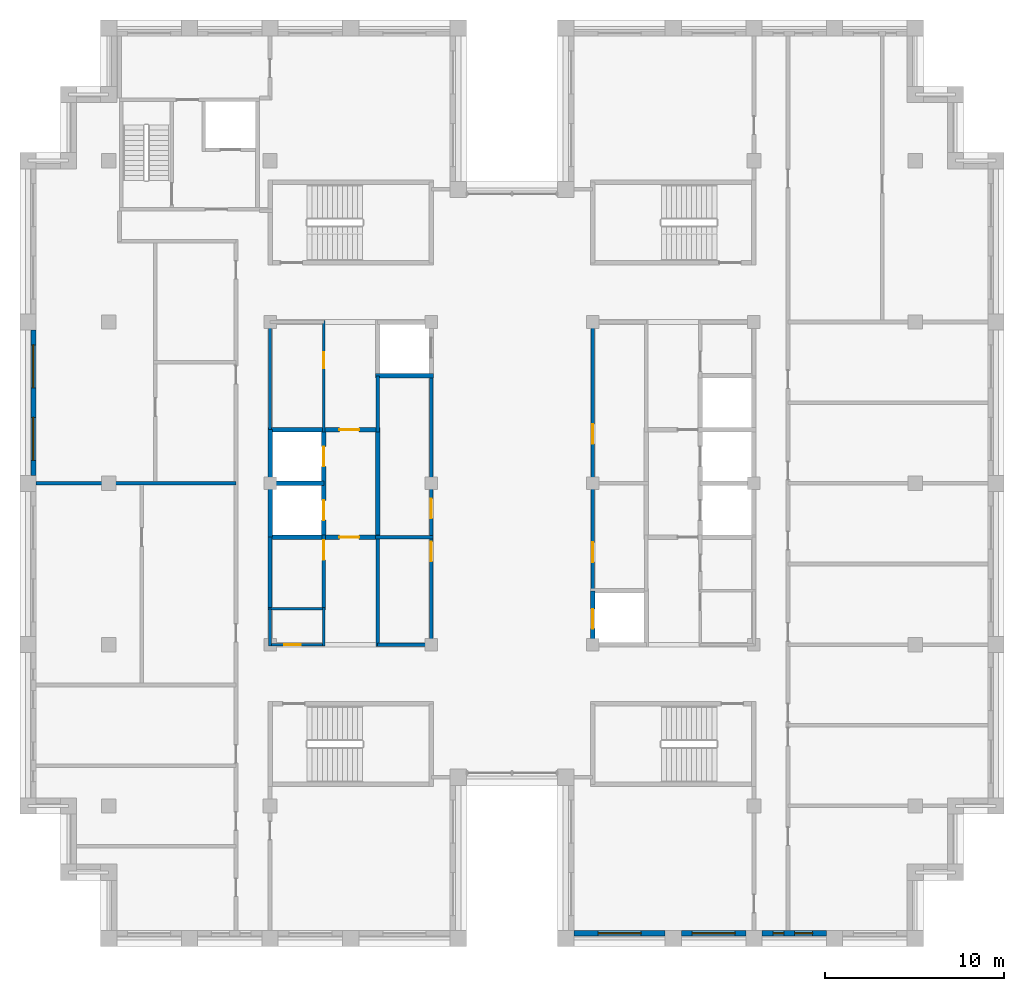
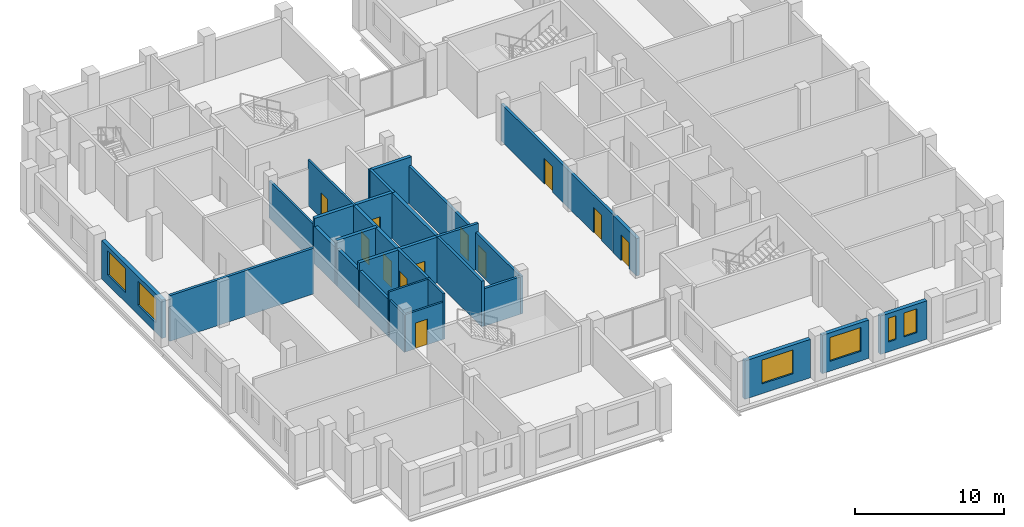
# One storey, part 7 of 13: 27 walls, 12 doors, 6 windows, 18 openings.
"""IFC4 building model written with IfcOpenShell, lengths in metres."""

from ifc_helpers import new_model, si_unit, direction, frame, frame_2d, origin, place, context, subcontext, project, spatial, rectangle, extrude, material, layer, layer_set, type_object, element, fill, save


model = new_model("IFC4")

# Units and contexts
model_context = context("Model", 3, precision=1e-05, world=origin(), true_north=direction((0.0, 1.0)))
body_context = subcontext(model_context, "Body", "Model", "MODEL_VIEW")
ifc_project = project(units=[si_unit("LENGTHUNIT", "METRE"), si_unit("AREAUNIT", "SQUARE_METRE"), si_unit("VOLUMEUNIT", "CUBIC_METRE"), si_unit("PLANEANGLEUNIT", "RADIAN"), si_unit("MASSUNIT", "GRAM", prefix="KILO")], contexts=[model_context])

# Site, building, storey
site_placement = place(None, origin())
site = spatial("IfcSite", under=ifc_project, at=site_placement, CompositionType="ELEMENT")
building_placement = place(site_placement, origin())
building = spatial("IfcBuilding", under=site, at=building_placement, Name="Corbelhall Arena Tower", CompositionType="ELEMENT")
storey_placement = place(building_placement, frame((0.0, 0.0, 338.0)))
storey = spatial("IfcBuildingStorey", under=building, at=storey_placement, Name="L74", CompositionType="ELEMENT", Elevation=338.0)

# Wall, openings, windows
ifc_material_1 = material(Name="Precast concrete C40/50 with granite facing", Category="masonry")
ifc_layer_1 = layer(ifc_material_1, 0.300048828125)
ifc_layer_set_1 = layer_set([ifc_layer_1], Name="EV-IW1 Infill panel 300")
wall_type_1 = type_object("IfcWallType", Name="EV-IW1 Infill panel 300", PredefinedType="SOLIDWALL", material=ifc_layer_set_1)
wall_1_placement = place(storey_placement, frame((-26.699951171875, 8.550048828125, 0.0), z_axis=(0.0, 0.0, 1.0), x_axis=(0.0, -1.0, 0.0)))
wall_1 = element("IfcWall", 1, at=wall_1_placement, inside=storey, type_object=wall_type_1, Name="Infill panel IW1", PredefinedType="SOLIDWALL", context=body_context, shape_type="SweptSolid", body=[
    extrude(rectangle(XDim=8.10009765625, YDim=0.300048828125, at=frame_2d((4.050048828125, 0.0))), origin(), (0.0, 0.0, 1.0), 3.139892578125),
])
opening_1_placement = place(wall_1_placement, frame((0.824951171875, 0.0, 0.800048828125)))
opening_1 = element("IfcOpeningElement", 2, at=opening_1_placement, cuts=wall_1, Name="Opening WN1", PredefinedType="OPENING", context=body_context, shape_type="SweptSolid", body=[
    extrude(rectangle(XDim=2.39990234375, YDim=1.949951171875, at=frame_2d((1.199951171875, 0.97509765625))), frame((0.0, 0.14990234375, 0.0), z_axis=(0.0, -1.0, 0.0), x_axis=(1.0, 0.0, 0.0)), (0.0, 0.0, 1.0), 0.300048828125),
])
opening_2_placement = place(wall_1_placement, frame((4.875, 0.0, 0.800048828125)))
opening_2 = element("IfcOpeningElement", 3, at=opening_2_placement, cuts=wall_1, Name="Opening WN1", PredefinedType="OPENING", context=body_context, shape_type="SweptSolid", body=[
    extrude(rectangle(XDim=2.39990234375, YDim=1.949951171875, at=frame_2d((1.199951171875, 0.97509765625))), frame((0.0, 0.14990234375, 0.0), z_axis=(0.0, -1.0, 0.0), x_axis=(1.0, 0.0, 0.0)), (0.0, 0.0, 1.0), 0.300048828125),
])
ifc_material_2 = material(Name="Aluminium black anodised", Category="aluminium")
window_type_1 = type_object("IfcWindowType", Name="EV-WN1 Office window", PartitioningType="SINGLE_PANEL", PredefinedType="WINDOW", material=ifc_material_2)
window_1_placement = place(opening_1_placement, origin())
window_1 = element("IfcWindow", 4, at=window_1_placement, inside=storey, type_object=window_type_1, Name="Window WN1", OverallHeight=1.949951171875, OverallWidth=2.39990234375, PartitioningType="SINGLE_PANEL", PredefinedType="WINDOW", context=body_context, shape_type="SweptSolid", body=[
    extrude(rectangle(XDim=2.39990234375, YDim=1.949951171875, at=frame_2d((1.199951171875, 0.97509765625))), frame((0.0, 0.030029296875, 0.0), z_axis=(0.0, -1.0, 0.0), x_axis=(1.0, 0.0, 0.0)), (0.0, 0.0, 1.0), 0.06005859375),
])
fill(opening_1, window_1)
window_2_placement = place(opening_2_placement, origin())
window_2 = element("IfcWindow", 5, at=window_2_placement, inside=storey, type_object=window_type_1, Name="Window WN1", OverallHeight=1.949951171875, OverallWidth=2.39990234375, PartitioningType="SINGLE_PANEL", PredefinedType="WINDOW", context=body_context, shape_type="SweptSolid", body=[
    extrude(rectangle(XDim=2.39990234375, YDim=1.949951171875, at=frame_2d((1.199951171875, 0.97509765625))), frame((0.0, 0.030029296875, 0.0), z_axis=(0.0, -1.0, 0.0), x_axis=(1.0, 0.0, 0.0)), (0.0, 0.0, 1.0), 0.06005859375),
])
fill(opening_2, window_2)

# Wall, opening, window
wall_2_placement = place(storey_placement, frame((3.449951171875, -25.10009765625, 0.0), z_axis=(0.0, 0.0, 1.0), x_axis=(1.0, 0.0, 0.0)))
wall_2 = element("IfcWall", 6, at=wall_2_placement, inside=storey, type_object=wall_type_1, Name="Infill panel IW1", PredefinedType="SOLIDWALL", context=body_context, shape_type="SweptSolid", body=[
    extrude(rectangle(XDim=5.10009765625, YDim=0.300048828125, at=frame_2d((2.550048828125, 0.0))), origin(), (0.0, 0.0, 1.0), 3.139892578125),
])
opening_3_placement = place(wall_2_placement, frame((1.35009765625, 0.0, 0.800048828125)))
opening_3 = element("IfcOpeningElement", 7, at=opening_3_placement, cuts=wall_2, Name="Opening WN1", PredefinedType="OPENING", context=body_context, shape_type="SweptSolid", body=[
    extrude(rectangle(XDim=2.39990234375, YDim=1.949951171875, at=frame_2d((1.199951171875, 0.97509765625))), frame((0.0, 0.14990234375, 0.0), z_axis=(0.0, -1.0, 0.0), x_axis=(1.0, 0.0, 0.0)), (0.0, 0.0, 1.0), 0.300048828125),
])
window_3_placement = place(opening_3_placement, origin())
window_3 = element("IfcWindow", 8, at=window_3_placement, inside=storey, type_object=window_type_1, Name="Window WN1", OverallHeight=1.949951171875, OverallWidth=2.39990234375, PartitioningType="SINGLE_PANEL", PredefinedType="WINDOW", context=body_context, shape_type="SweptSolid", body=[
    extrude(rectangle(XDim=2.39990234375, YDim=1.949951171875, at=frame_2d((1.199951171875, 0.97509765625))), frame((0.0, 0.030029296875, 0.0), z_axis=(0.0, -1.0, 0.0), x_axis=(1.0, 0.0, 0.0)), (0.0, 0.0, 1.0), 0.06005859375),
])
fill(opening_3, window_3)

wall_3_placement = place(storey_placement, frame((9.449951171875, -25.10009765625, 0.0), z_axis=(0.0, 0.0, 1.0), x_axis=(1.0, 0.0, 0.0)))
wall_3 = element("IfcWall", 9, at=wall_3_placement, inside=storey, type_object=wall_type_1, Name="Infill panel IW1", PredefinedType="SOLIDWALL", context=body_context, shape_type="SweptSolid", body=[
    extrude(rectangle(XDim=3.60009765625, YDim=0.300048828125, at=frame_2d((1.800048828125, 0.0))), origin(), (0.0, 0.0, 1.0), 3.139892578125),
])
opening_4_placement = place(wall_3_placement, frame((0.60009765625, 0.0, 0.800048828125)))
opening_4 = element("IfcOpeningElement", 10, at=opening_4_placement, cuts=wall_3, Name="Opening WN1", PredefinedType="OPENING", context=body_context, shape_type="SweptSolid", body=[
    extrude(rectangle(XDim=2.39990234375, YDim=1.949951171875, at=frame_2d((1.199951171875, 0.97509765625))), frame((0.0, 0.14990234375, 0.0), z_axis=(0.0, -1.0, 0.0), x_axis=(1.0, 0.0, 0.0)), (0.0, 0.0, 1.0), 0.300048828125),
])
window_4_placement = place(opening_4_placement, origin())
window_4 = element("IfcWindow", 11, at=window_4_placement, inside=storey, type_object=window_type_1, Name="Window WN1", OverallHeight=1.949951171875, OverallWidth=2.39990234375, PartitioningType="SINGLE_PANEL", PredefinedType="WINDOW", context=body_context, shape_type="SweptSolid", body=[
    extrude(rectangle(XDim=2.39990234375, YDim=1.949951171875, at=frame_2d((1.199951171875, 0.97509765625))), frame((0.0, 0.030029296875, 0.0), z_axis=(0.0, -1.0, 0.0), x_axis=(1.0, 0.0, 0.0)), (0.0, 0.0, 1.0), 0.06005859375),
])
fill(opening_4, window_4)

# Wall, openings, windows
wall_4_placement = place(storey_placement, frame((13.949951171875, -25.10009765625, 0.0), z_axis=(0.0, 0.0, 1.0), x_axis=(1.0, 0.0, 0.0)))
wall_4 = element("IfcWall", 12, at=wall_4_placement, inside=storey, type_object=wall_type_1, Name="Infill panel IW1", PredefinedType="SOLIDWALL", context=body_context, shape_type="SweptSolid", body=[
    extrude(rectangle(XDim=3.60009765625, YDim=0.300048828125, at=frame_2d((1.800048828125, 0.0))), origin(), (0.0, 0.0, 1.0), 3.139892578125),
])
opening_5_placement = place(wall_4_placement, frame((0.625, 0.0, 0.800048828125)))
opening_5 = element("IfcOpeningElement", 13, at=opening_5_placement, cuts=wall_4, Name="Opening WN5", PredefinedType="OPENING", context=body_context, shape_type="SweptSolid", body=[
    extrude(rectangle(XDim=0.60009765625, YDim=1.949951171875, at=frame_2d((0.300048828125, 0.97509765625))), frame((0.0, 0.14990234375, 0.0), z_axis=(0.0, -1.0, 0.0), x_axis=(1.0, 0.0, 0.0)), (0.0, 0.0, 1.0), 0.300048828125),
])
opening_6_placement = place(wall_4_placement, frame((1.824951171875, 0.0, 0.800048828125)))
opening_6 = element("IfcOpeningElement", 14, at=opening_6_placement, cuts=wall_4, Name="Opening WN6", PredefinedType="OPENING", context=body_context, shape_type="SweptSolid", body=[
    extrude(rectangle(XDim=1.0, YDim=1.949951171875, at=frame_2d((0.5, 0.97509765625))), frame((0.0, 0.14990234375, 0.0), z_axis=(0.0, -1.0, 0.0), x_axis=(1.0, 0.0, 0.0)), (0.0, 0.0, 1.0), 0.300048828125),
])
window_type_2 = type_object("IfcWindowType", Name="EV-WN5 Office window 600", PartitioningType="SINGLE_PANEL", PredefinedType="WINDOW", material=ifc_material_2)
window_5_placement = place(opening_5_placement, origin())
window_5 = element("IfcWindow", 15, at=window_5_placement, inside=storey, type_object=window_type_2, Name="Window WN5", OverallHeight=1.949951171875, OverallWidth=0.60009765625, PartitioningType="SINGLE_PANEL", PredefinedType="WINDOW", context=body_context, shape_type="SweptSolid", body=[
    extrude(rectangle(XDim=0.60009765625, YDim=1.949951171875, at=frame_2d((0.300048828125, 0.97509765625))), frame((0.0, 0.030029296875, 0.0), z_axis=(0.0, -1.0, 0.0), x_axis=(1.0, 0.0, 0.0)), (0.0, 0.0, 1.0), 0.06005859375),
])
fill(opening_5, window_5)
window_type_3 = type_object("IfcWindowType", Name="EV-WN6 Office window 1000", PartitioningType="SINGLE_PANEL", PredefinedType="WINDOW", material=ifc_material_2)
window_6_placement = place(opening_6_placement, origin())
window_6 = element("IfcWindow", 16, at=window_6_placement, inside=storey, type_object=window_type_3, Name="Window WN6", OverallHeight=1.949951171875, OverallWidth=1.0, PartitioningType="SINGLE_PANEL", PredefinedType="WINDOW", context=body_context, shape_type="SweptSolid", body=[
    extrude(rectangle(XDim=1.0, YDim=1.949951171875, at=frame_2d((0.5, 0.97509765625))), frame((0.0, 0.030029296875, 0.0), z_axis=(0.0, -1.0, 0.0), x_axis=(1.0, 0.0, 0.0)), (0.0, 0.0, 1.0), 0.06005859375),
])
fill(opening_6, window_6)

# Wall
ifc_material_3 = material(Name="Gypsum board on steel stud, acoustic", Category="steel")
ifc_layer_2 = layer(ifc_material_3, 0.199951171875)
ifc_layer_set_2 = layer_set([ifc_layer_2], Name="IN-W-DM200")
wall_type_2 = type_object("IfcWallType", Name="IN-W-DM200", PredefinedType="PARTITIONING", material=ifc_layer_set_2)
wall_5_placement = place(storey_placement, frame((-15.39990234375, 0.0, 0.0), z_axis=(0.0, 0.0, 1.0), x_axis=(-1.0, 0.0, 0.0)))
element("IfcWall", 17, at=wall_5_placement, inside=storey, type_object=wall_type_2, Name="Partition 007", PredefinedType="PARTITIONING", context=body_context, shape_type="SweptSolid", body=[
    extrude(rectangle(XDim=11.150146484375, YDim=0.199951171875, at=frame_2d((5.5751953125, 0.0))), origin(), (0.0, 0.0, 1.0), 3.739990234375),
])

# Wall, opening, door
ifc_material_4 = material(Name="Concrete block wall", Category="concrete")
ifc_layer_3 = layer(ifc_material_4, 0.199951171875)
ifc_layer_set_3 = layer_set([ifc_layer_3], Name="IN-W-RS200")
wall_type_3 = type_object("IfcWallType", Name="IN-W-RS200", PredefinedType="SOLIDWALL", material=ifc_layer_set_3)
wall_6_placement = place(storey_placement, frame((-10.5, -7.074951171875, 0.0), z_axis=(0.0, 0.0, 1.0), x_axis=(0.0, 1.0, 0.0)))
wall_6 = element("IfcWall", 18, at=wall_6_placement, inside=storey, type_object=wall_type_3, Name="Partition 032", PredefinedType="SOLIDWALL", context=body_context, shape_type="SweptSolid", body=[
    extrude(rectangle(XDim=4.199951171875, YDim=0.199951171875, at=frame_2d((2.10009765625, 0.0))), origin(), (0.0, 0.0, 1.0), 3.739990234375),
])
opening_7_placement = place(wall_6_placement, frame((2.800048828125, 0.0, 0.0)))
opening_7 = element("IfcOpeningElement", 19, at=opening_7_placement, cuts=wall_6, Name="Opening 24006", PredefinedType="OPENING", context=body_context, shape_type="SweptSolid", body=[
    extrude(rectangle(XDim=1.10009765625, YDim=2.10009765625, at=frame_2d((0.550048828125, 1.050048828125))), frame((0.0, 0.10009765625, 0.0), z_axis=(0.0, -1.0, 0.0), x_axis=(1.0, 0.0, 0.0)), (0.0, 0.0, 1.0), 0.199951171875),
])
ifc_material_5 = material(Name="Steel door set", Category="steel")
door_type_1 = type_object("IfcDoorType", Name="IN-D-FD110", OperationType="NOTDEFINED", PredefinedType="DOOR", material=ifc_material_5)
door_1_placement = place(opening_7_placement, origin())
door_1 = element("IfcDoor", 20, at=door_1_placement, inside=storey, type_object=door_type_1, Name="Door 006", OperationType="SINGLE_SWING_LEFT", OverallHeight=2.10009765625, OverallWidth=1.10009765625, PredefinedType="DOOR", context=body_context, shape_type="SweptSolid", body=[
    extrude(rectangle(XDim=1.10009765625, YDim=2.10009765625, at=frame_2d((0.550048828125, 1.050048828125))), frame((0.0, 0.02490234375, 0.0), z_axis=(0.0, -1.0, 0.0), x_axis=(1.0, 0.0, 0.0)), (0.0, 0.0, 1.0), 0.050048828125),
])
fill(opening_7, door_1)

# Walls
wall_7_placement = place(storey_placement, frame((-7.625, -3.0, 0.0), z_axis=(0.0, 0.0, 1.0), x_axis=(1.0, 0.0, 0.0)))
element("IfcWall", 21, at=wall_7_placement, inside=storey, type_object=wall_type_3, Name="Partition 033", PredefinedType="SOLIDWALL", context=body_context, shape_type="SweptSolid", body=[
    extrude(rectangle(XDim=3.22509765625, YDim=0.199951171875, at=frame_2d((1.612548828125, 0.0))), origin(), (0.0, 0.0, 1.0), 3.739990234375),
])
wall_8_placement = place(storey_placement, frame((-7.5, -9.10009765625, 0.0), z_axis=(0.0, 0.0, 1.0), x_axis=(0.0, 1.0, 0.0)))
element("IfcWall", 22, at=wall_8_placement, inside=storey, type_object=wall_type_3, Name="Partition 034", PredefinedType="SOLIDWALL", context=body_context, shape_type="SweptSolid", body=[
    extrude(rectangle(XDim=6.22509765625, YDim=0.199951171875, at=frame_2d((3.112548828125, 0.0))), origin(), (0.0, 0.0, 1.0), 3.739990234375),
])
wall_9_placement = place(storey_placement, frame((-7.5, 2.875, 0.0), z_axis=(0.0, 0.0, 1.0), x_axis=(0.0, 1.0, 0.0)))
element("IfcWall", 23, at=wall_9_placement, inside=storey, type_object=wall_type_3, Name="Partition 035", PredefinedType="SOLIDWALL", context=body_context, shape_type="SweptSolid", body=[
    extrude(rectangle(XDim=3.125, YDim=0.199951171875, at=frame_2d((1.5625, 0.0))), origin(), (0.0, 0.0, 1.0), 3.739990234375),
])
ifc_layer_4 = layer(ifc_material_4, 0.199951171875)
ifc_layer_set_4 = layer_set([ifc_layer_4], Name="IN-W-RS200 under beam 678 mm")
wall_type_4 = type_object("IfcWallType", Name="IN-W-RS200 under beam 678 mm", PredefinedType="SOLIDWALL", material=ifc_layer_set_4)
wall_10_placement = place(storey_placement, frame((-13.5, -7.0, 0.0), z_axis=(0.0, 0.0, 1.0), x_axis=(0.0, 1.0, 0.0)))
element("IfcWall", 24, at=wall_10_placement, inside=storey, type_object=wall_type_4, Name="Partition 031", PredefinedType="SOLIDWALL", context=body_context, shape_type="SweptSolid", body=[
    extrude(rectangle(XDim=4.0, YDim=0.199951171875, at=frame_2d((2.0, 0.0))), origin(), (0.0, 0.0, 1.0), 3.061767578125),
])
wall_11_placement = place(storey_placement, frame((-4.5, -9.0, 0.0), z_axis=(0.0, 0.0, 1.0), x_axis=(-1.0, 0.0, 0.0)))
element("IfcWall", 25, at=wall_11_placement, inside=storey, type_object=wall_type_4, Name="Partition 036", PredefinedType="SOLIDWALL", context=body_context, shape_type="SweptSolid", body=[
    extrude(rectangle(XDim=3.0, YDim=0.199951171875, at=frame_2d((1.5, 0.0))), origin(), (0.0, 0.0, 1.0), 3.061767578125),
])

# Wall, openings, doors
wall_12_placement = place(storey_placement, frame((-4.5, 6.0, 0.0), z_axis=(0.0, 0.0, 1.0), x_axis=(0.0, -1.0, 0.0)))
wall_12 = element("IfcWall", 26, at=wall_12_placement, inside=storey, type_object=wall_type_4, Name="Partition 037", PredefinedType="SOLIDWALL", context=body_context, shape_type="SweptSolid", body=[
    extrude(rectangle(XDim=15.10009765625, YDim=0.199951171875, at=frame_2d((7.550048828125, 0.0))), origin(), (0.0, 0.0, 1.0), 3.061767578125),
])
opening_8_placement = place(wall_12_placement, frame((9.25, 0.0, 0.0)))
opening_8 = element("IfcOpeningElement", 27, at=opening_8_placement, cuts=wall_12, Name="Opening 24001", PredefinedType="OPENING", context=body_context, shape_type="SweptSolid", body=[
    extrude(rectangle(XDim=1.10009765625, YDim=2.10009765625, at=frame_2d((0.550048828125, 1.050048828125))), frame((0.0, 0.10009765625, 0.0), z_axis=(0.0, -1.0, 0.0), x_axis=(1.0, 0.0, 0.0)), (0.0, 0.0, 1.0), 0.199951171875),
])
opening_9_placement = place(wall_12_placement, frame((6.85009765625, 0.0, 0.0)))
opening_9 = element("IfcOpeningElement", 28, at=opening_9_placement, cuts=wall_12, Name="Opening 24002", PredefinedType="OPENING", context=body_context, shape_type="SweptSolid", body=[
    extrude(rectangle(XDim=1.10009765625, YDim=2.10009765625, at=frame_2d((0.550048828125, 1.050048828125))), frame((0.0, 0.10009765625, 0.0), z_axis=(0.0, -1.0, 0.0), x_axis=(1.0, 0.0, 0.0)), (0.0, 0.0, 1.0), 0.199951171875),
])
door_2_placement = place(opening_8_placement, origin())
door_2 = element("IfcDoor", 29, at=door_2_placement, inside=storey, type_object=door_type_1, Name="Door 001", OperationType="SINGLE_SWING_RIGHT", OverallHeight=2.10009765625, OverallWidth=1.10009765625, PredefinedType="DOOR", context=body_context, shape_type="SweptSolid", body=[
    extrude(rectangle(XDim=1.10009765625, YDim=2.10009765625, at=frame_2d((0.550048828125, 1.050048828125))), frame((0.0, 0.02490234375, 0.0), z_axis=(0.0, -1.0, 0.0), x_axis=(1.0, 0.0, 0.0)), (0.0, 0.0, 1.0), 0.050048828125),
])
fill(opening_8, door_2)
door_3_placement = place(opening_9_placement, origin())
door_3 = element("IfcDoor", 30, at=door_3_placement, inside=storey, type_object=door_type_1, Name="Door 002", OperationType="SINGLE_SWING_LEFT", OverallHeight=2.10009765625, OverallWidth=1.10009765625, PredefinedType="DOOR", context=body_context, shape_type="SweptSolid", body=[
    extrude(rectangle(XDim=1.10009765625, YDim=2.10009765625, at=frame_2d((0.550048828125, 1.050048828125))), frame((0.0, 0.02490234375, 0.0), z_axis=(0.0, -1.0, 0.0), x_axis=(1.0, 0.0, 0.0)), (0.0, 0.0, 1.0), 0.050048828125),
])
fill(opening_9, door_3)

wall_13_placement = place(storey_placement, frame((4.5, -6.0, 0.0), z_axis=(0.0, 0.0, 1.0), x_axis=(0.0, 1.0, 0.0)))
wall_13 = element("IfcWall", 31, at=wall_13_placement, inside=storey, type_object=wall_type_4, Name="Partition 039", PredefinedType="SOLIDWALL", context=body_context, shape_type="SweptSolid", body=[
    extrude(rectangle(XDim=15.10009765625, YDim=0.199951171875, at=frame_2d((7.550048828125, 0.0))), origin(), (0.0, 0.0, 1.0), 3.061767578125),
])
opening_10_placement = place(wall_13_placement, frame((1.60009765625, 0.0, 0.0)))
opening_10 = element("IfcOpeningElement", 32, at=opening_10_placement, cuts=wall_13, Name="Opening 24008", PredefinedType="OPENING", context=body_context, shape_type="SweptSolid", body=[
    extrude(rectangle(XDim=1.10009765625, YDim=2.10009765625, at=frame_2d((0.550048828125, 1.050048828125))), frame((0.0, 0.10009765625, 0.0), z_axis=(0.0, -1.0, 0.0), x_axis=(1.0, 0.0, 0.0)), (0.0, 0.0, 1.0), 0.199951171875),
])
opening_11_placement = place(wall_13_placement, frame((8.199951171875, 0.0, 0.0)))
opening_11 = element("IfcOpeningElement", 33, at=opening_11_placement, cuts=wall_13, Name="Opening 24009", PredefinedType="OPENING", context=body_context, shape_type="SweptSolid", body=[
    extrude(rectangle(XDim=1.10009765625, YDim=2.10009765625, at=frame_2d((0.550048828125, 1.050048828125))), frame((0.0, 0.10009765625, 0.0), z_axis=(0.0, -1.0, 0.0), x_axis=(1.0, 0.0, 0.0)), (0.0, 0.0, 1.0), 0.199951171875),
])
door_4_placement = place(opening_10_placement, origin())
door_4 = element("IfcDoor", 34, at=door_4_placement, inside=storey, type_object=door_type_1, Name="Door 008", OperationType="SINGLE_SWING_LEFT", OverallHeight=2.10009765625, OverallWidth=1.10009765625, PredefinedType="DOOR", context=body_context, shape_type="SweptSolid", body=[
    extrude(rectangle(XDim=1.10009765625, YDim=2.10009765625, at=frame_2d((0.550048828125, 1.050048828125))), frame((0.0, 0.02490234375, 0.0), z_axis=(0.0, -1.0, 0.0), x_axis=(1.0, 0.0, 0.0)), (0.0, 0.0, 1.0), 0.050048828125),
])
fill(opening_10, door_4)
door_5_placement = place(opening_11_placement, origin())
door_5 = element("IfcDoor", 35, at=door_5_placement, inside=storey, type_object=door_type_1, Name="Door 009", OperationType="SINGLE_SWING_RIGHT", OverallHeight=2.10009765625, OverallWidth=1.10009765625, PredefinedType="DOOR", context=body_context, shape_type="SweptSolid", body=[
    extrude(rectangle(XDim=1.10009765625, YDim=2.10009765625, at=frame_2d((0.550048828125, 1.050048828125))), frame((0.0, 0.02490234375, 0.0), z_axis=(0.0, -1.0, 0.0), x_axis=(1.0, 0.0, 0.0)), (0.0, 0.0, 1.0), 0.050048828125),
])
fill(opening_11, door_5)

# Wall
ifc_material_6 = material(Name="Concrete C40/50", Category="concrete")
ifc_layer_5 = layer(ifc_material_6, 0.25)
ifc_layer_set_5 = layer_set([ifc_layer_5], Name="IN-W-SH250")
wall_type_5 = type_object("IfcWallType", Name="IN-W-SH250", PredefinedType="SOLIDWALL", material=ifc_layer_set_5)
wall_14_placement = place(storey_placement, frame((-13.625, 0.0, 0.0), z_axis=(0.0, 0.0, 1.0), x_axis=(1.0, 0.0, 0.0)))
element("IfcWall", 36, at=wall_14_placement, inside=storey, type_object=wall_type_5, Name="Shaft wall 048", PredefinedType="SOLIDWALL", context=body_context, shape_type="SweptSolid", body=[
    extrude(rectangle(XDim=3.125, YDim=0.25, at=frame_2d((1.5625, 0.0))), origin(), (0.0, 0.0, 1.0), 3.739990234375),
])

# Wall, opening, door
wall_15_placement = place(storey_placement, frame((-13.625, 3.0, 0.0), z_axis=(0.0, 0.0, 1.0), x_axis=(1.0, 0.0, 0.0)))
wall_15 = element("IfcWall", 37, at=wall_15_placement, inside=storey, type_object=wall_type_5, Name="Shaft wall 049", PredefinedType="SOLIDWALL", context=body_context, shape_type="SweptSolid", body=[
    extrude(rectangle(XDim=6.125, YDim=0.25, at=frame_2d((3.0625, 0.0))), origin(), (0.0, 0.0, 1.0), 3.739990234375),
])
opening_12_placement = place(wall_15_placement, frame((4.0, 0.0, 0.0)))
opening_12 = element("IfcOpeningElement", 38, at=opening_12_placement, cuts=wall_15, Name="Opening 24004", PredefinedType="OPENING", context=body_context, shape_type="SweptSolid", body=[
    extrude(rectangle(XDim=1.10009765625, YDim=2.10009765625, at=frame_2d((0.550048828125, 1.050048828125))), frame((0.0, 0.125, 0.0), z_axis=(0.0, -1.0, 0.0), x_axis=(1.0, 0.0, 0.0)), (0.0, 0.0, 1.0), 0.25),
])
door_6_placement = place(opening_12_placement, origin())
door_6 = element("IfcDoor", 39, at=door_6_placement, inside=storey, type_object=door_type_1, Name="Door 004", OperationType="SINGLE_SWING_LEFT", OverallHeight=2.10009765625, OverallWidth=1.10009765625, PredefinedType="DOOR", context=body_context, shape_type="SweptSolid", body=[
    extrude(rectangle(XDim=1.10009765625, YDim=2.10009765625, at=frame_2d((0.550048828125, 1.050048828125))), frame((0.0, 0.02490234375, 0.0), z_axis=(0.0, -1.0, 0.0), x_axis=(1.0, 0.0, 0.0)), (0.0, 0.0, 1.0), 0.050048828125),
])
fill(opening_12, door_6)

wall_16_placement = place(storey_placement, frame((-13.625, -3.0, 0.0), z_axis=(0.0, 0.0, 1.0), x_axis=(1.0, 0.0, 0.0)))
wall_16 = element("IfcWall", 40, at=wall_16_placement, inside=storey, type_object=wall_type_5, Name="Shaft wall 051", PredefinedType="SOLIDWALL", context=body_context, shape_type="SweptSolid", body=[
    extrude(rectangle(XDim=6.125, YDim=0.25, at=frame_2d((3.0625, 0.0))), origin(), (0.0, 0.0, 1.0), 3.739990234375),
])
opening_13_placement = place(wall_16_placement, frame((4.0, 0.0, 0.0)))
opening_13 = element("IfcOpeningElement", 41, at=opening_13_placement, cuts=wall_16, Name="Opening 24003", PredefinedType="OPENING", context=body_context, shape_type="SweptSolid", body=[
    extrude(rectangle(XDim=1.10009765625, YDim=2.10009765625, at=frame_2d((0.550048828125, 1.050048828125))), frame((0.0, 0.125, 0.0), z_axis=(0.0, -1.0, 0.0), x_axis=(1.0, 0.0, 0.0)), (0.0, 0.0, 1.0), 0.25),
])
door_7_placement = place(opening_13_placement, origin())
door_7 = element("IfcDoor", 42, at=door_7_placement, inside=storey, type_object=door_type_1, Name="Door 003", OperationType="SINGLE_SWING_RIGHT", OverallHeight=2.10009765625, OverallWidth=1.10009765625, PredefinedType="DOOR", context=body_context, shape_type="SweptSolid", body=[
    extrude(rectangle(XDim=1.10009765625, YDim=2.10009765625, at=frame_2d((0.550048828125, 1.050048828125))), frame((0.0, 0.02490234375, 0.0), z_axis=(0.0, -1.0, 0.0), x_axis=(1.0, 0.0, 0.0)), (0.0, 0.0, 1.0), 0.050048828125),
])
fill(opening_13, door_7)

# Wall, openings, doors
wall_17_placement = place(storey_placement, frame((-10.5, -3.125, 0.0), z_axis=(0.0, 0.0, 1.0), x_axis=(0.0, 1.0, 0.0)))
wall_17 = element("IfcWall", 43, at=wall_17_placement, inside=storey, type_object=wall_type_5, Name="Shaft wall 052", PredefinedType="SOLIDWALL", context=body_context, shape_type="SweptSolid", body=[
    extrude(rectangle(XDim=6.25, YDim=0.25, at=frame_2d((3.125, 0.0))), origin(), (0.0, 0.0, 1.0), 3.739990234375),
])
opening_14_placement = place(wall_17_placement, frame((1.074951171875, 0.0, 0.0)))
opening_14 = element("IfcOpeningElement", 44, at=opening_14_placement, cuts=wall_17, Name="Opening LD", PredefinedType="OPENING", context=body_context, shape_type="SweptSolid", body=[
    extrude(rectangle(XDim=1.10009765625, YDim=2.10009765625, at=frame_2d((0.550048828125, 1.050048828125))), frame((0.0, 0.125, 0.0), z_axis=(0.0, -1.0, 0.0), x_axis=(1.0, 0.0, 0.0)), (0.0, 0.0, 1.0), 0.25),
])
opening_15_placement = place(wall_17_placement, frame((4.074951171875, 0.0, 0.0)))
opening_15 = element("IfcOpeningElement", 45, at=opening_15_placement, cuts=wall_17, Name="Opening LD", PredefinedType="OPENING", context=body_context, shape_type="SweptSolid", body=[
    extrude(rectangle(XDim=1.10009765625, YDim=2.10009765625, at=frame_2d((0.550048828125, 1.050048828125))), frame((0.0, 0.125, 0.0), z_axis=(0.0, -1.0, 0.0), x_axis=(1.0, 0.0, 0.0)), (0.0, 0.0, 1.0), 0.25),
])
door_type_2 = type_object("IfcDoorType", Name="IN-D-LD110", OperationType="NOTDEFINED", PredefinedType="DOOR", material=ifc_material_5)
door_8_placement = place(opening_14_placement, origin())
door_8 = element("IfcDoor", 46, at=door_8_placement, inside=storey, type_object=door_type_2, Name="Landing door W3", OperationType="SLIDING_TO_LEFT", OverallHeight=2.10009765625, OverallWidth=1.10009765625, PredefinedType="DOOR", context=body_context, shape_type="SweptSolid", body=[
    extrude(rectangle(XDim=1.10009765625, YDim=2.10009765625, at=frame_2d((0.550048828125, 1.050048828125))), frame((0.0, 0.02490234375, 0.0), z_axis=(0.0, -1.0, 0.0), x_axis=(1.0, 0.0, 0.0)), (0.0, 0.0, 1.0), 0.050048828125),
])
fill(opening_14, door_8)
door_9_placement = place(opening_15_placement, origin())
door_9 = element("IfcDoor", 47, at=door_9_placement, inside=storey, type_object=door_type_2, Name="Landing door W4", OperationType="SLIDING_TO_LEFT", OverallHeight=2.10009765625, OverallWidth=1.10009765625, PredefinedType="DOOR", context=body_context, shape_type="SweptSolid", body=[
    extrude(rectangle(XDim=1.10009765625, YDim=2.10009765625, at=frame_2d((0.550048828125, 1.050048828125))), frame((0.0, 0.02490234375, 0.0), z_axis=(0.0, -1.0, 0.0), x_axis=(1.0, 0.0, 0.0)), (0.0, 0.0, 1.0), 0.050048828125),
])
fill(opening_15, door_9)

# Walls
wall_18_placement = place(storey_placement, frame((-7.625, 6.0, 0.0), z_axis=(0.0, 0.0, 1.0), x_axis=(1.0, 0.0, 0.0)))
element("IfcWall", 48, at=wall_18_placement, inside=storey, type_object=wall_type_5, Name="Shaft wall 053", PredefinedType="SOLIDWALL", context=body_context, shape_type="SweptSolid", body=[
    extrude(rectangle(XDim=3.25, YDim=0.25, at=frame_2d((1.625, 0.0))), origin(), (0.0, 0.0, 1.0), 3.739990234375),
])
wall_19_placement = place(storey_placement, frame((-7.5, -3.125, 0.0), z_axis=(0.0, 0.0, 1.0), x_axis=(0.0, 1.0, 0.0)))
element("IfcWall", 49, at=wall_19_placement, inside=storey, type_object=wall_type_5, Name="Shaft wall 054", PredefinedType="SOLIDWALL", context=body_context, shape_type="SweptSolid", body=[
    extrude(rectangle(XDim=6.25, YDim=0.25, at=frame_2d((3.125, 0.0))), origin(), (0.0, 0.0, 1.0), 3.739990234375),
])
ifc_layer_6 = layer(ifc_material_6, 0.25)
ifc_layer_set_6 = layer_set([ifc_layer_6], Name="IN-W-SH250 under beam 678 mm")
wall_type_6 = type_object("IfcWallType", Name="IN-W-SH250 under beam 678 mm", PredefinedType="SOLIDWALL", material=ifc_layer_set_6)
wall_20_placement = place(storey_placement, frame((-13.5, -3.0, 0.0), z_axis=(0.0, 0.0, 1.0), x_axis=(0.0, 1.0, 0.0)))
element("IfcWall", 50, at=wall_20_placement, inside=storey, type_object=wall_type_6, Name="Shaft wall 050", PredefinedType="SOLIDWALL", context=body_context, shape_type="SweptSolid", body=[
    extrude(rectangle(XDim=6.0, YDim=0.25, at=frame_2d((3.0, 0.0))), origin(), (0.0, 0.0, 1.0), 3.061767578125),
])

# Wall, opening, door
wall_21_placement = place(storey_placement, frame((4.5, -9.125, 0.0), z_axis=(0.0, 0.0, 1.0), x_axis=(0.0, 1.0, 0.0)))
wall_21 = element("IfcWall", 51, at=wall_21_placement, inside=storey, type_object=wall_type_6, Name="Shaft wall 059", PredefinedType="SOLIDWALL", context=body_context, shape_type="SweptSolid", body=[
    extrude(rectangle(XDim=3.125, YDim=0.25, at=frame_2d((1.5625, 0.0))), origin(), (0.0, 0.0, 1.0), 3.061767578125),
])
opening_16_placement = place(wall_21_placement, frame((1.012451171875, 0.0, 0.0)))
opening_16 = element("IfcOpeningElement", 52, at=opening_16_placement, cuts=wall_21, Name="Opening LD", PredefinedType="OPENING", context=body_context, shape_type="SweptSolid", body=[
    extrude(rectangle(XDim=1.10009765625, YDim=2.10009765625, at=frame_2d((0.550048828125, 1.050048828125))), frame((0.0, 0.125, 0.0), z_axis=(0.0, -1.0, 0.0), x_axis=(1.0, 0.0, 0.0)), (0.0, 0.0, 1.0), 0.25),
])
door_10_placement = place(opening_16_placement, origin())
door_10 = element("IfcDoor", 53, at=door_10_placement, inside=storey, type_object=door_type_2, Name="Landing door E1", OperationType="SLIDING_TO_LEFT", OverallHeight=2.10009765625, OverallWidth=1.10009765625, PredefinedType="DOOR", context=body_context, shape_type="SweptSolid", body=[
    extrude(rectangle(XDim=1.10009765625, YDim=2.10009765625, at=frame_2d((0.550048828125, 1.050048828125))), frame((0.0, 0.02490234375, 0.0), z_axis=(0.0, -1.0, 0.0), x_axis=(1.0, 0.0, 0.0)), (0.0, 0.0, 1.0), 0.050048828125),
])
fill(opening_16, door_10)

# Walls
ifc_material_7 = material(Name="Gypsum board on steel stud, moisture resistant", Category="steel")
ifc_layer_7 = layer(ifc_material_7, 0.14990234375)
ifc_layer_set_7 = layer_set([ifc_layer_7], Name="IN-W-WC150")
wall_type_7 = type_object("IfcWallType", Name="IN-W-WC150", PredefinedType="PARTITIONING", material=ifc_layer_set_7)
wall_22_placement = place(storey_placement, frame((-13.60009765625, -7.0, 0.0), z_axis=(0.0, 0.0, 1.0), x_axis=(1.0, 0.0, 0.0)))
element("IfcWall", 54, at=wall_22_placement, inside=storey, type_object=wall_type_7, Name="Partition 085", PredefinedType="PARTITIONING", context=body_context, shape_type="SweptSolid", body=[
    extrude(rectangle(XDim=3.10009765625, YDim=0.14990234375, at=frame_2d((1.550048828125, 0.0))), origin(), (0.0, 0.0, 1.0), 3.739990234375),
])
wall_23_placement = place(storey_placement, frame((-10.5, -9.074951171875, 0.0), z_axis=(0.0, 0.0, 1.0), x_axis=(0.0, 1.0, 0.0)))
element("IfcWall", 55, at=wall_23_placement, inside=storey, type_object=wall_type_7, Name="Partition 089", PredefinedType="PARTITIONING", context=body_context, shape_type="SweptSolid", body=[
    extrude(rectangle(XDim=2.14990234375, YDim=0.14990234375, at=frame_2d((1.074951171875, 0.0))), origin(), (0.0, 0.0, 1.0), 3.739990234375),
])

# Wall, opening, door
wall_24_placement = place(storey_placement, frame((-10.5, 2.875, 0.0), z_axis=(0.0, 0.0, 1.0), x_axis=(0.0, 1.0, 0.0)))
wall_24 = element("IfcWall", 56, at=wall_24_placement, inside=storey, type_object=wall_type_7, Name="Partition 091", PredefinedType="PARTITIONING", context=body_context, shape_type="SweptSolid", body=[
    extrude(rectangle(XDim=6.199951171875, YDim=0.14990234375, at=frame_2d((3.10009765625, 0.0))), origin(), (0.0, 0.0, 1.0), 3.739990234375),
])
opening_17_placement = place(wall_24_placement, frame((3.550048828125, 0.0, 0.0)))
opening_17 = element("IfcOpeningElement", 57, at=opening_17_placement, cuts=wall_24, Name="Opening 24007", PredefinedType="OPENING", context=body_context, shape_type="SweptSolid", body=[
    extrude(rectangle(XDim=0.89990234375, YDim=2.10009765625, at=frame_2d((0.449951171875, 1.050048828125))), frame((0.0, 0.074951171875, 0.0), z_axis=(0.0, -1.0, 0.0), x_axis=(1.0, 0.0, 0.0)), (0.0, 0.0, 1.0), 0.14990234375),
])
ifc_material_8 = material(Name="Timber door set", Category="wood")
door_type_3 = type_object("IfcDoorType", Name="IN-D-SW90", OperationType="NOTDEFINED", PredefinedType="DOOR", material=ifc_material_8)
door_11_placement = place(opening_17_placement, origin())
door_11 = element("IfcDoor", 58, at=door_11_placement, inside=storey, type_object=door_type_3, Name="Door 007", OperationType="SINGLE_SWING_RIGHT", OverallHeight=2.10009765625, OverallWidth=0.89990234375, PredefinedType="DOOR", context=body_context, shape_type="SweptSolid", body=[
    extrude(rectangle(XDim=0.89990234375, YDim=2.10009765625, at=frame_2d((0.449951171875, 1.050048828125))), frame((0.0, 0.02490234375, 0.0), z_axis=(0.0, -1.0, 0.0), x_axis=(1.0, 0.0, 0.0)), (0.0, 0.0, 1.0), 0.050048828125),
])
fill(opening_17, door_11)

# Walls
ifc_layer_8 = layer(ifc_material_7, 0.14990234375)
ifc_layer_set_8 = layer_set([ifc_layer_8], Name="IN-W-WC150 under beam 678 mm")
wall_type_8 = type_object("IfcWallType", Name="IN-W-WC150 under beam 678 mm", PredefinedType="PARTITIONING", material=ifc_layer_set_8)
wall_25_placement = place(storey_placement, frame((-13.5, -9.074951171875, 0.0), z_axis=(0.0, 0.0, 1.0), x_axis=(0.0, 1.0, 0.0)))
element("IfcWall", 59, at=wall_25_placement, inside=storey, type_object=wall_type_8, Name="Partition 086", PredefinedType="PARTITIONING", context=body_context, shape_type="SweptSolid", body=[
    extrude(rectangle(XDim=2.074951171875, YDim=0.14990234375, at=frame_2d((1.03759765625, 0.0))), origin(), (0.0, 0.0, 1.0), 3.061767578125),
])
wall_26_placement = place(storey_placement, frame((-13.5, 3.0, 0.0), z_axis=(0.0, 0.0, 1.0), x_axis=(0.0, 1.0, 0.0)))
element("IfcWall", 60, at=wall_26_placement, inside=storey, type_object=wall_type_8, Name="Partition 087", PredefinedType="PARTITIONING", context=body_context, shape_type="SweptSolid", body=[
    extrude(rectangle(XDim=6.074951171875, YDim=0.14990234375, at=frame_2d((3.03759765625, 0.0))), origin(), (0.0, 0.0, 1.0), 3.061767578125),
])

# Wall, opening, door
wall_27_placement = place(storey_placement, frame((-10.5, -9.0, 0.0), z_axis=(0.0, 0.0, 1.0), x_axis=(-1.0, 0.0, 0.0)))
wall_27 = element("IfcWall", 61, at=wall_27_placement, inside=storey, type_object=wall_type_8, Name="Partition 090", PredefinedType="PARTITIONING", context=body_context, shape_type="SweptSolid", body=[
    extrude(rectangle(XDim=3.0, YDim=0.14990234375, at=frame_2d((1.5, 0.0))), origin(), (0.0, 0.0, 1.0), 3.061767578125),
])
opening_18_placement = place(wall_27_placement, frame((1.300048828125, 0.0, 0.0)))
opening_18 = element("IfcOpeningElement", 62, at=opening_18_placement, cuts=wall_27, Name="Opening 24005", PredefinedType="OPENING", context=body_context, shape_type="SweptSolid", body=[
    extrude(rectangle(XDim=0.89990234375, YDim=2.10009765625, at=frame_2d((0.449951171875, 1.050048828125))), frame((0.0, 0.074951171875, 0.0), z_axis=(0.0, -1.0, 0.0), x_axis=(1.0, 0.0, 0.0)), (0.0, 0.0, 1.0), 0.14990234375),
])
door_12_placement = place(opening_18_placement, origin())
door_12 = element("IfcDoor", 63, at=door_12_placement, inside=storey, type_object=door_type_3, Name="Door 005", OperationType="SINGLE_SWING_RIGHT", OverallHeight=2.10009765625, OverallWidth=0.89990234375, PredefinedType="DOOR", context=body_context, shape_type="SweptSolid", body=[
    extrude(rectangle(XDim=0.89990234375, YDim=2.10009765625, at=frame_2d((0.449951171875, 1.050048828125))), frame((0.0, 0.02490234375, 0.0), z_axis=(0.0, -1.0, 0.0), x_axis=(1.0, 0.0, 0.0)), (0.0, 0.0, 1.0), 0.050048828125),
])
fill(opening_18, door_12)

save(model, "model.ifc")
